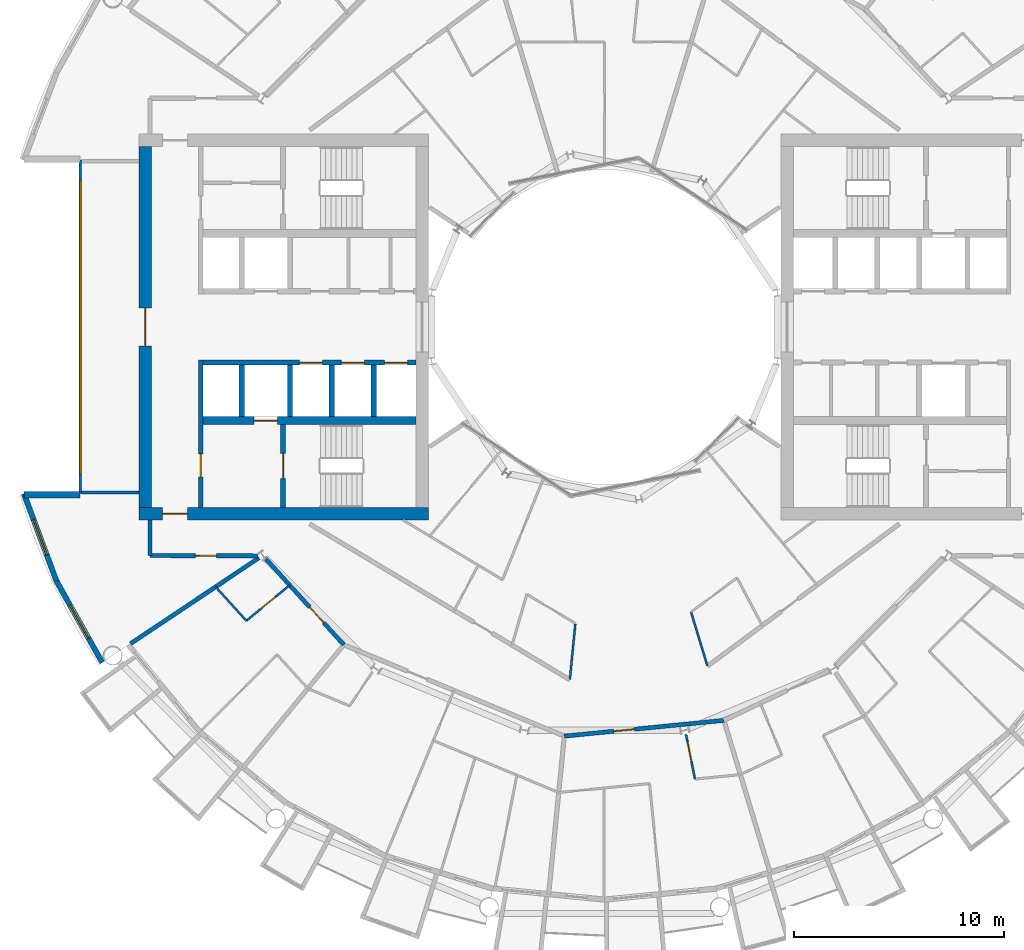
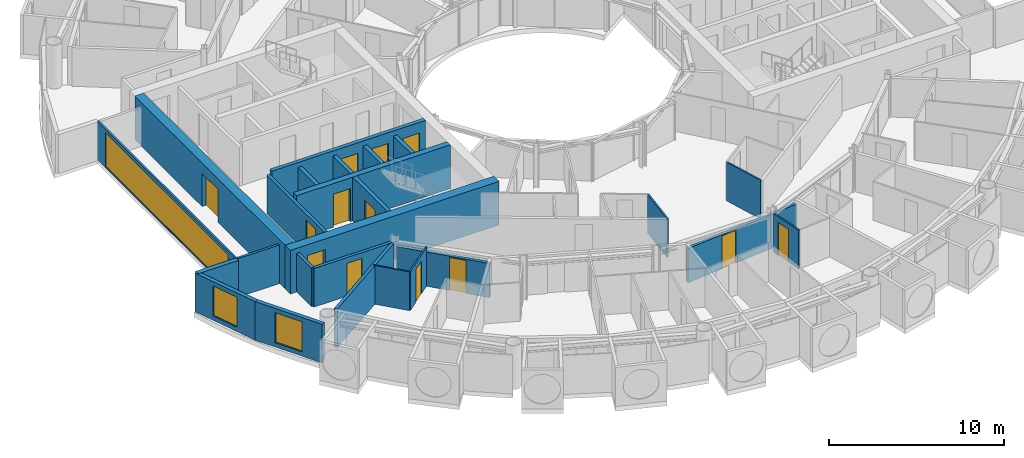
# One storey, part 15 of 27: 25 walls, 13 doors, 3 windows, 16 openings.
"""IFC4 building model written with IfcOpenShell, lengths in metres."""

import ifcopenshell
import ifcopenshell.guid

model = None  # the IFC model being written
_history = None  # IfcOwnerHistory: only IFC2X3 demands one
_inside = {}  # id of a spatial element -> (the spatial element, [elements in it])
_under = {}  # id of a project, library or spatial element -> (it, [spatial elements below it])
_declared = {}  # id of a project -> (the project, [libraries it declares])
_typed = {}  # id of a type object -> (the type object, [elements of that type])
_made_of = {}  # id of a material, layer set ... -> (it, [elements and type objects made of it])


def new_model(schema):
    """Start an empty IFC model of exactly this schema.

    Asked for "IFC4X3", IfcOpenShell would pick the latest addendum, in which some entities
    have other attributes; the version numbers below select the first issue.
    IFC2X3 requires an IfcOwnerHistory on every rooted entity: one is made here for all.
    """
    global model, _history
    if schema == "IFC4X3":
        model = ifcopenshell.file(schema_version=(4, 3, 0, 0))
    else:
        model = ifcopenshell.file(schema=schema)
    _inside.clear()
    _under.clear()
    _declared.clear()
    _typed.clear()
    _made_of.clear()
    _history = None
    if model.schema == "IFC2X3":
        org = make("IfcOrganization", Name="unknown")
        user = make(
            "IfcPersonAndOrganization",
            ThePerson=make("IfcPerson", FamilyName="unknown"),
            TheOrganization=org,
        )
        app = make(
            "IfcApplication",
            ApplicationDeveloper=org,
            Version="unknown",
            ApplicationFullName="unknown",
            ApplicationIdentifier="unknown",
        )
        _history = make(
            "IfcOwnerHistory",
            OwningUser=user,
            OwningApplication=app,
            ChangeAction="ADDED",
            CreationDate=0,
        )
    return model


def make(cls, **values):
    """One entity of the class cls with the attributes given. An attribute that is None is left unset."""
    return model.create_entity(
        cls, **{name: value for name, value in values.items() if value is not None}
    )


def rooted(cls, **values):
    """An entity with a GlobalId (a new one), such as an element, a storey or a relation."""
    return make(cls, GlobalId=ifcopenshell.guid.new(), OwnerHistory=_history, **values)


def si_unit(unit_type, name, prefix=None):
    """IfcSIUnit, for example si_unit("LENGTHUNIT", "METRE", prefix="MILLI")."""
    return make("IfcSIUnit", UnitType=unit_type, Prefix=prefix, Name=name)


def assignment(units):
    """IfcUnitAssignment: the units of a project."""
    return None if units is None else make("IfcUnitAssignment", Units=units)


def point(xyz):
    """IfcCartesianPoint."""
    return None if xyz is None else make("IfcCartesianPoint", Coordinates=xyz)


def direction(xyz):
    """IfcDirection."""
    return None if xyz is None else make("IfcDirection", DirectionRatios=xyz)


def frame(location, z_axis=None, x_axis=None):
    """IfcAxis2Placement3D, a coordinate frame: its origin and axes. An axis left out is left unset."""
    return make(
        "IfcAxis2Placement3D",
        Location=point(location),
        Axis=direction(z_axis),
        RefDirection=direction(x_axis),
    )


def frame_2d(location, x_axis=None):
    """IfcAxis2Placement2D, a coordinate frame in the plane: its origin and x axis."""
    return make(
        "IfcAxis2Placement2D", Location=point(location), RefDirection=direction(x_axis)
    )


def origin():
    """The frame at (0, 0, 0) with its axes left unset."""
    return frame((0.0, 0.0, 0.0))


def place(relative_to, where):
    """IfcLocalPlacement: puts the frame where relative to a parent placement (None: the world)."""
    return make(
        "IfcLocalPlacement", PlacementRelTo=relative_to, RelativePlacement=where
    )


def context(
    kind, dimensions, precision=None, world=None, true_north=None, identifier=None
):
    """IfcGeometricRepresentationContext, for example the 3D "Model" context."""
    return make(
        "IfcGeometricRepresentationContext",
        ContextIdentifier=identifier,
        ContextType=kind,
        CoordinateSpaceDimension=dimensions,
        Precision=precision,
        WorldCoordinateSystem=world,
        TrueNorth=true_north,
    )


def subcontext(parent, identifier, kind, view, scale=None):
    """IfcGeometricRepresentationSubContext, for example "Body" below "Model"."""
    return make(
        "IfcGeometricRepresentationSubContext",
        ContextIdentifier=identifier,
        ContextType=kind,
        ParentContext=parent,
        TargetScale=scale,
        TargetView=view,
    )


def project(units=None, contexts=None):
    """IfcProject with its units and contexts."""
    return rooted(
        "IfcProject",
        Name="project",
        RepresentationContexts=contexts,
        UnitsInContext=assignment(units),
    )


def spatial(cls, under=None, at=None, **own):
    """A site, building, storey or space (cls), placed at a placement, below another one or the project."""
    s = rooted(cls, ObjectPlacement=at, **own)
    if under is not None:
        _under.setdefault(under.id(), (under, []))[1].append(s)
    return s


def profile(cls, at=None, kind="AREA", **sizes):
    """A parametric profile (cls). Its sizes go by their IFC names, for example OverallWidth=200.0."""
    return make(cls, ProfileType=kind, Position=at, **sizes)


def rectangle(**sizes):
    """IfcRectangleProfileDef."""
    return profile("IfcRectangleProfileDef", **sizes)


def extrude(swept, where, along, depth):
    """IfcExtrudedAreaSolid: the profile swept, set in the frame where, extruded along a direction by depth."""
    return make(
        "IfcExtrudedAreaSolid",
        SweptArea=swept,
        Position=where,
        ExtrudedDirection=direction(along),
        Depth=depth,
    )


def shape(context_of_items, identifier, shape_type, items):
    """IfcShapeRepresentation: the items that make up one representation, for example the "Body"."""
    return make(
        "IfcShapeRepresentation",
        ContextOfItems=context_of_items,
        RepresentationIdentifier=identifier,
        RepresentationType=shape_type,
        Items=items,
    )


def material(Name=None, Category=None):
    """IfcMaterial."""
    return make("IfcMaterial", Name=Name, Category=Category)


def layer(
    of_material, thickness, ventilated=None, Name=None, Category=None, Priority=None
):
    """IfcMaterialLayer: one layer of a wall or slab, of a material (None: an air gap)."""
    return make(
        "IfcMaterialLayer",
        Material=of_material,
        LayerThickness=thickness,
        IsVentilated=ventilated,
        Name=Name,
        Category=Category,
        Priority=Priority,
    )


def layer_set(layers, Name=None):
    """IfcMaterialLayerSet."""
    return make("IfcMaterialLayerSet", MaterialLayers=layers, LayerSetName=Name)


def made_of(thing, what):
    """Note that an element or type object is made of a material, layer set ...; save() writes the relation."""
    if what is not None:
        _made_of.setdefault(what.id(), (what, []))[1].append(thing)
    return thing


def type_object(cls, material=None, **own):
    """A type object (cls), such as IfcWallType, which elements share."""
    return made_of(rooted(cls, **own), material)


def element(
    cls,
    number,
    at=None,
    inside=None,
    cuts=None,
    type_object=None,
    material=None,
    context=None,
    identifier="Body",
    shape_type=None,
    held_by="IfcProductDefinitionShape",
    body=None,
    shapes=None,
    **own,
):
    """One element of the class cls, such as IfcWall. Its Tag is "e" and its number.

    at: its placement. inside: the storey or other place that contains it. cuts: it is an
    opening in that element (IfcRelVoidsElement). A single representation is given by context,
    identifier, shape_type and body (its items); several are given by shapes. held_by: the class
    of the entity that holds the representations. save() writes the other relations.
    """
    e = rooted(cls, Tag="e%d" % number, ObjectPlacement=at, **own)
    if body is not None:
        shapes = [shape(context, identifier, shape_type, body)]
    if shapes is not None:
        e.Representation = make(held_by, Representations=shapes)
    if inside is not None:
        _inside.setdefault(inside.id(), (inside, []))[1].append(e)
    if cuts is not None:
        rooted(
            "IfcRelVoidsElement", RelatingBuildingElement=cuts, RelatedOpeningElement=e
        )
    if type_object is not None:
        _typed.setdefault(type_object.id(), (type_object, []))[1].append(e)
    return made_of(e, material)


def fill(opening, filler):
    """IfcRelFillsElement: the door or window that sits in an opening."""
    return rooted(
        "IfcRelFillsElement",
        RelatingOpeningElement=opening,
        RelatedBuildingElement=filler,
    )


def aggregate(whole, parts):
    """IfcRelAggregates: a whole, such as a stair, and the parts it consists of."""
    return rooted("IfcRelAggregates", RelatingObject=whole, RelatedObjects=parts)


def save(model, path):
    """Write the relations noted so far, then the file.

    IfcRelAggregates (storeys below a building ...), IfcRelContainedInSpatialStructure (elements
    in a storey), IfcRelDefinesByType, IfcRelAssociatesMaterial and IfcRelDeclares: one each for
    every whole, place, type object, material and project.
    """
    for whole, parts in _under.values():
        aggregate(whole, parts)
    for where, things in _inside.values():
        rooted(
            "IfcRelContainedInSpatialStructure",
            RelatedElements=things,
            RelatingStructure=where,
        )
    for kind, things in _typed.values():
        rooted("IfcRelDefinesByType", RelatedObjects=things, RelatingType=kind)
    for what, things in _made_of.values():
        rooted("IfcRelAssociatesMaterial", RelatedObjects=things, RelatingMaterial=what)
    for by, libraries in _declared.values():
        rooted("IfcRelDeclares", RelatingContext=by, RelatedDefinitions=libraries)
    model.write(path)


model = new_model("IFC4")

# Units and contexts
model_context = context("Model", 3, precision=1e-05, world=origin(), true_north=direction((0.0, 1.0)))
body_context = subcontext(model_context, "Body", "Model", "MODEL_VIEW")
ifc_project = project(units=[si_unit("LENGTHUNIT", "METRE"), si_unit("AREAUNIT", "SQUARE_METRE"), si_unit("VOLUMEUNIT", "CUBIC_METRE"), si_unit("PLANEANGLEUNIT", "RADIAN"), si_unit("MASSUNIT", "GRAM", prefix="KILO")], contexts=[model_context])

# Site, building, storey
site_placement = place(None, origin())
site = spatial("IfcSite", under=ifc_project, at=site_placement, CompositionType="ELEMENT")
building_placement = place(site_placement, origin())
building = spatial("IfcBuilding", under=site, at=building_placement, Name="Maasbend Ring Residences", CompositionType="ELEMENT")
storey_placement = place(building_placement, frame((0.0, 0.0, 117.75)))
storey = spatial("IfcBuildingStorey", under=building, at=storey_placement, Name="L33", CompositionType="ELEMENT", Elevation=117.75)

# Wall, openings, doors
ifc_material_1 = material(Name="Concrete C60/75", Category="concrete")
ifc_layer_1 = layer(ifc_material_1, 0.25)
ifc_layer_set_1 = layer_set([ifc_layer_1], Name="Concrete C60/75")
wall_type_1 = type_object("IfcWallType", Name="CORE WALL 250 C60/75", PredefinedType="SHEAR", material=ifc_layer_set_1)
wall_1_placement = place(storey_placement, frame((-9.0, -1.699951171875, 0.0), z_axis=(0.0, 0.0, 1.0), x_axis=(-1.0, 0.0, 0.0)))
wall_1 = element("IfcWall", 1, at=wall_1_placement, inside=storey, type_object=wall_type_1, Name="L33 core W wall SPN", PredefinedType="SHEAR", context=body_context, shape_type="SweptSolid", body=[
    extrude(rectangle(XDim=10.14990234375, YDim=0.25, at=frame_2d((5.074951171875, 0.0))), origin(), (0.0, 0.0, 1.0), 3.050048828125),
])
opening_1_placement = place(wall_1_placement, frame((0.387451171875, 0.0, 0.0)))
opening_1 = element("IfcOpeningElement", 2, at=opening_1_placement, cuts=wall_1, Name="Opening LD-W3301", PredefinedType="OPENING", context=body_context, shape_type="SweptSolid", body=[
    extrude(rectangle(XDim=1.10009765625, YDim=2.300048828125, at=frame_2d((0.550048828125, 1.14990234375))), frame((0.0, 0.135009765625, 0.0), z_axis=(0.0, -1.0, 0.0), x_axis=(1.0, 0.0, 0.0)), (0.0, 0.0, 1.0), 0.27001953125),
])
opening_2_placement = place(wall_1_placement, frame((2.449951171875, 0.0, 0.0)))
opening_2 = element("IfcOpeningElement", 3, at=opening_2_placement, cuts=wall_1, Name="Opening LD-W3302", PredefinedType="OPENING", context=body_context, shape_type="SweptSolid", body=[
    extrude(rectangle(XDim=1.10009765625, YDim=2.300048828125, at=frame_2d((0.550048828125, 1.14990234375))), frame((0.0, 0.135009765625, 0.0), z_axis=(0.0, -1.0, 0.0), x_axis=(1.0, 0.0, 0.0)), (0.0, 0.0, 1.0), 0.27001953125),
])
opening_3_placement = place(wall_1_placement, frame((4.449951171875, 0.0, 0.0)))
opening_3 = element("IfcOpeningElement", 4, at=opening_3_placement, cuts=wall_1, Name="Opening LD-W3303", PredefinedType="OPENING", context=body_context, shape_type="SweptSolid", body=[
    extrude(rectangle(XDim=1.10009765625, YDim=2.300048828125, at=frame_2d((0.550048828125, 1.14990234375))), frame((0.0, 0.135009765625, 0.0), z_axis=(0.0, -1.0, 0.0), x_axis=(1.0, 0.0, 0.0)), (0.0, 0.0, 1.0), 0.27001953125),
])
ifc_material_2 = material(Name="Stainless steel 316", Category="steel")
door_type_1 = type_object("IfcDoorType", Name="LANDING DOOR 1100 X 2300 FD60", OperationType="DOUBLE_DOOR_SLIDING", PredefinedType="DOOR", material=ifc_material_2)
door_1_placement = place(opening_1_placement, origin())
door_1 = element("IfcDoor", 5, at=door_1_placement, inside=storey, type_object=door_type_1, Name="Landing door LR-W1 L33", OperationType="DOUBLE_DOOR_SLIDING", OverallHeight=2.300048828125, OverallWidth=1.10009765625, PredefinedType="DOOR", context=body_context, shape_type="SweptSolid", body=[
    extrude(rectangle(XDim=1.10009765625, YDim=2.300048828125, at=frame_2d((0.550048828125, 1.14990234375))), frame((0.0, 0.02490234375, 0.0), z_axis=(0.0, -1.0, 0.0), x_axis=(1.0, 0.0, 0.0)), (0.0, 0.0, 1.0), 0.050048828125),
])
fill(opening_1, door_1)
door_2_placement = place(opening_2_placement, origin())
door_2 = element("IfcDoor", 6, at=door_2_placement, inside=storey, type_object=door_type_1, Name="Landing door LR-W2 L33", OperationType="DOUBLE_DOOR_SLIDING", OverallHeight=2.300048828125, OverallWidth=1.10009765625, PredefinedType="DOOR", context=body_context, shape_type="SweptSolid", body=[
    extrude(rectangle(XDim=1.10009765625, YDim=2.300048828125, at=frame_2d((0.550048828125, 1.14990234375))), frame((0.0, 0.02490234375, 0.0), z_axis=(0.0, -1.0, 0.0), x_axis=(1.0, 0.0, 0.0)), (0.0, 0.0, 1.0), 0.050048828125),
])
fill(opening_2, door_2)
door_3_placement = place(opening_3_placement, origin())
door_3 = element("IfcDoor", 7, at=door_3_placement, inside=storey, type_object=door_type_1, Name="Landing door LR-W3 L33", OperationType="DOUBLE_DOOR_SLIDING", OverallHeight=2.300048828125, OverallWidth=1.10009765625, PredefinedType="DOOR", context=body_context, shape_type="SweptSolid", body=[
    extrude(rectangle(XDim=1.10009765625, YDim=2.300048828125, at=frame_2d((0.550048828125, 1.14990234375))), frame((0.0, 0.02490234375, 0.0), z_axis=(0.0, -1.0, 0.0), x_axis=(1.0, 0.0, 0.0)), (0.0, 0.0, 1.0), 0.050048828125),
])
fill(opening_3, door_3)

# Wall, opening, door
wall_2_placement = place(storey_placement, frame((-15.324951171875, -4.64990234375, 0.0), z_axis=(0.0, 0.0, 1.0), x_axis=(0.0, -1.0, 0.0)))
wall_2 = element("IfcWall", 8, at=wall_2_placement, inside=storey, type_object=wall_type_1, Name="L33 core W wall STEN", PredefinedType="SHEAR", context=body_context, shape_type="SweptSolid", body=[
    extrude(rectangle(XDim=3.9501953125, YDim=0.25, at=frame_2d((1.97509765625, 0.0))), origin(), (0.0, 0.0, 1.0), 3.050048828125),
])
opening_4_placement = place(wall_2_placement, frame((1.375, 0.0, 0.0)))
opening_4 = element("IfcOpeningElement", 9, at=opening_4_placement, cuts=wall_2, Name="Opening D-W3310", PredefinedType="OPENING", context=body_context, shape_type="SweptSolid", body=[
    extrude(rectangle(XDim=1.199951171875, YDim=2.300048828125, at=frame_2d((0.60009765625, 1.14990234375))), frame((0.0, 0.135009765625, 0.0), z_axis=(0.0, -1.0, 0.0), x_axis=(1.0, 0.0, 0.0)), (0.0, 0.0, 1.0), 0.27001953125),
])
ifc_material_3 = material(Name="Steel, powder coated", Category="steel")
door_type_2 = type_object("IfcDoorType", Name="STAIR DOOR 1200 X 2300 FD60", OperationType="NOTDEFINED", PredefinedType="DOOR", material=ifc_material_3)
door_4_placement = place(opening_4_placement, origin())
door_4 = element("IfcDoor", 10, at=door_4_placement, inside=storey, type_object=door_type_2, Name="Stair door ST-W L33", OperationType="SINGLE_SWING_LEFT", OverallHeight=2.300048828125, OverallWidth=1.199951171875, PredefinedType="DOOR", context=body_context, shape_type="SweptSolid", body=[
    extrude(rectangle(XDim=1.199951171875, YDim=2.300048828125, at=frame_2d((0.60009765625, 1.14990234375))), frame((0.0, 0.02490234375, 0.0), z_axis=(0.0, -1.0, 0.0), x_axis=(1.0, 0.0, 0.0)), (0.0, 0.0, 1.0), 0.050048828125),
])
fill(opening_4, door_4)

ifc_material_4 = material(Name="Concrete C60/75", Category="concrete")
ifc_layer_2 = layer(ifc_material_4, 0.375)
ifc_layer_set_2 = layer_set([ifc_layer_2], Name="Concrete C60/75")
wall_type_2 = type_object("IfcWallType", Name="CORE WALL 375 C60/75", PredefinedType="SHEAR", material=ifc_layer_set_2)
wall_3_placement = place(storey_placement, frame((-9.0, -4.46240234375, 0.0), z_axis=(0.0, 0.0, 1.0), x_axis=(-1.0, 0.0, 0.0)))
wall_3 = element("IfcWall", 11, at=wall_3_placement, inside=storey, type_object=wall_type_2, Name="L33 core W wall BN", PredefinedType="SHEAR", context=body_context, shape_type="SweptSolid", body=[
    extrude(rectangle(XDim=10.14990234375, YDim=0.375, at=frame_2d((5.074951171875, 0.0))), origin(), (0.0, 0.0, 1.0), 3.050048828125),
])
opening_5_placement = place(wall_3_placement, frame((6.60009765625, 0.0, 0.0)))
opening_5 = element("IfcOpeningElement", 12, at=opening_5_placement, cuts=wall_3, Name="Opening LD-W3304", PredefinedType="OPENING", context=body_context, shape_type="SweptSolid", body=[
    extrude(rectangle(XDim=1.10009765625, YDim=2.300048828125, at=frame_2d((0.550048828125, 1.14990234375))), frame((0.0, 0.197509765625, 0.0), z_axis=(0.0, -1.0, 0.0), x_axis=(1.0, 0.0, 0.0)), (0.0, 0.0, 1.0), 0.39501953125),
])
door_5_placement = place(opening_5_placement, origin())
door_5 = element("IfcDoor", 13, at=door_5_placement, inside=storey, type_object=door_type_1, Name="Landing door FF-W L33", OperationType="DOUBLE_DOOR_SLIDING", OverallHeight=2.300048828125, OverallWidth=1.10009765625, PredefinedType="DOOR", context=body_context, shape_type="SweptSolid", body=[
    extrude(rectangle(XDim=1.10009765625, YDim=2.300048828125, at=frame_2d((0.550048828125, 1.14990234375))), frame((0.0, 0.02490234375, 0.0), z_axis=(0.0, -1.0, 0.0), x_axis=(1.0, 0.0, 0.0)), (0.0, 0.0, 1.0), 0.050048828125),
])
fill(opening_5, door_5)

ifc_material_5 = material(Name="Concrete C60/75", Category="concrete")
ifc_layer_3 = layer(ifc_material_5, 0.60009765625)
ifc_layer_set_3 = layer_set([ifc_layer_3], Name="Concrete C60/75")
wall_type_3 = type_object("IfcWallType", Name="CORE WALL 600 C60/75", PredefinedType="SHEAR", material=ifc_layer_set_3)
wall_4_placement = place(storey_placement, frame((-22.199951171875, -8.89990234375, 0.0), z_axis=(0.0, 0.0, 1.0), x_axis=(1.0, 0.0, 0.0)))
wall_4 = element("IfcWall", 14, at=wall_4_placement, inside=storey, type_object=wall_type_3, Name="L33 core W wall PN", PredefinedType="SHEAR", context=body_context, shape_type="SweptSolid", body=[
    extrude(rectangle(XDim=13.800048828125, YDim=0.60009765625, at=frame_2d((6.89990234375, 0.0))), origin(), (0.0, 0.0, 1.0), 3.050048828125),
])
opening_6_placement = place(wall_4_placement, frame((1.125, 0.0, 0.0)))
opening_6 = element("IfcOpeningElement", 15, at=opening_6_placement, cuts=wall_4, Name="Opening D-W3314", PredefinedType="OPENING", context=body_context, shape_type="SweptSolid", body=[
    extrude(rectangle(XDim=1.199951171875, YDim=2.300048828125, at=frame_2d((0.60009765625, 1.14990234375))), frame((0.0, 0.31005859375, 0.0), z_axis=(0.0, -1.0, 0.0), x_axis=(1.0, 0.0, 0.0)), (0.0, 0.0, 1.0), 0.6201171875),
])
ifc_material_6 = material(Name="Steel, powder coated", Category="steel")
door_type_3 = type_object("IfcDoorType", Name="CORRIDOR DOOR 1200 X 2300 FD30S", OperationType="NOTDEFINED", PredefinedType="DOOR", material=ifc_material_6)
door_6_placement = place(opening_6_placement, origin())
door_6 = element("IfcDoor", 16, at=door_6_placement, inside=storey, type_object=door_type_3, Name="Corridor door L33", OperationType="SINGLE_SWING_RIGHT", OverallHeight=2.300048828125, OverallWidth=1.199951171875, PredefinedType="DOOR", context=body_context, shape_type="SweptSolid", body=[
    extrude(rectangle(XDim=1.199951171875, YDim=2.300048828125, at=frame_2d((0.60009765625, 1.14990234375))), frame((0.0, 0.02490234375, 0.0), z_axis=(0.0, -1.0, 0.0), x_axis=(1.0, 0.0, 0.0)), (0.0, 0.0, 1.0), 0.050048828125),
])
fill(opening_6, door_6)

wall_5_placement = place(storey_placement, frame((-21.89990234375, -8.60009765625, 0.0), z_axis=(0.0, 0.0, 1.0), x_axis=(0.0, 1.0, 0.0)))
wall_5 = element("IfcWall", 17, at=wall_5_placement, inside=storey, type_object=wall_type_3, Name="L33 core W wall POUT", PredefinedType="SHEAR", context=body_context, shape_type="SweptSolid", body=[
    extrude(rectangle(XDim=17.2001953125, YDim=0.60009765625, at=frame_2d((8.60009765625, 0.0))), origin(), (0.0, 0.0, 1.0), 3.050048828125),
])
opening_7_placement = place(wall_5_placement, frame((7.699951171875, 0.0, 0.0)))
opening_7 = element("IfcOpeningElement", 18, at=opening_7_placement, cuts=wall_5, Name="Opening D-W3316", PredefinedType="OPENING", context=body_context, shape_type="SweptSolid", body=[
    extrude(rectangle(XDim=1.800048828125, YDim=2.300048828125, at=frame_2d((0.89990234375, 1.14990234375))), frame((0.0, 0.31005859375, 0.0), z_axis=(0.0, -1.0, 0.0), x_axis=(1.0, 0.0, 0.0)), (0.0, 0.0, 1.0), 0.6201171875),
])
ifc_material_7 = material(Name="Aluminium frame, clear glass", Category="aluminium")
door_type_4 = type_object("IfcDoorType", Name="ENTRANCE DOOR 1800 X 2300 FD60", OperationType="NOTDEFINED", PredefinedType="DOOR", material=ifc_material_7)
door_7_placement = place(opening_7_placement, origin())
door_7 = element("IfcDoor", 19, at=door_7_placement, inside=storey, type_object=door_type_4, Name="Lobby glazed door L33", OperationType="SINGLE_SWING_LEFT", OverallHeight=2.300048828125, OverallWidth=1.800048828125, PredefinedType="DOOR", context=body_context, shape_type="SweptSolid", body=[
    extrude(rectangle(XDim=1.800048828125, YDim=2.300048828125, at=frame_2d((0.89990234375, 1.14990234375))), frame((0.0, 0.02490234375, 0.0), z_axis=(0.0, -1.0, 0.0), x_axis=(1.0, 0.0, 0.0)), (0.0, 0.0, 1.0), 0.050048828125),
])
fill(opening_7, door_7)

ifc_material_8 = material(Name="Concrete C30/37", Category="concrete")
ifc_layer_4 = layer(ifc_material_8, 0.199951171875)
ifc_layer_set_4 = layer_set([ifc_layer_4], Name="Concrete C30/37")
wall_type_4 = type_object("IfcWallType", Name="CORRIDOR WALL 200 CONCRETE", PredefinedType="PARTITIONING", material=ifc_layer_set_4)
wall_6_placement = place(storey_placement, frame((-16.19189453125, -11.00390625, 0.0), z_axis=(0.0, 0.0, 1.0), x_axis=(0.671481997275, -0.741020868354, 0.0)))
wall_6 = element("IfcWall", 20, at=wall_6_placement, inside=storey, type_object=wall_type_4, Name="U-L33-w013", PredefinedType="PARTITIONING", context=body_context, shape_type="SweptSolid", body=[
    extrude(rectangle(XDim=5.59619140625, YDim=0.199951171875, at=frame_2d((2.798095703125, 0.0))), origin(), (0.0, 0.0, 1.0), 2.389892578125),
])
opening_8_placement = place(wall_6_placement, frame((3.178955078125, 0.0, 0.0)))
opening_8 = element("IfcOpeningElement", 21, at=opening_8_placement, cuts=wall_6, Name="Opening D-3333", PredefinedType="OPENING", context=body_context, shape_type="SweptSolid", body=[
    extrude(rectangle(XDim=1.0, YDim=2.300048828125, at=frame_2d((0.5, 1.14990234375))), frame((0.0, 0.10986328125, 0.0), z_axis=(0.0, -1.0, 0.0), x_axis=(1.0, 0.0, 0.0)), (0.0, 0.0, 1.0), 0.219970703125),
])
ifc_material_9 = material(Name="Timber, fire-rated, painted", Category="wood")
door_type_5 = type_object("IfcDoorType", Name="FLAT ENTRANCE DOOR 1000 X 2300 FIRE-RATED", OperationType="NOTDEFINED", PredefinedType="DOOR", material=ifc_material_9)
door_8_placement = place(opening_8_placement, origin())
door_8 = element("IfcDoor", 22, at=door_8_placement, inside=storey, type_object=door_type_5, Name="D-3333", OperationType="SINGLE_SWING_RIGHT", OverallHeight=2.300048828125, OverallWidth=1.0, PredefinedType="DOOR", context=body_context, shape_type="SweptSolid", body=[
    extrude(rectangle(XDim=1.0, YDim=2.300048828125, at=frame_2d((0.5, 1.14990234375))), frame((0.0, 0.02490234375, 0.0), z_axis=(0.0, -1.0, 0.0), x_axis=(1.0, 0.0, 0.0)), (0.0, 0.0, 1.0), 0.050048828125),
])
fill(opening_8, door_8)

wall_7_placement = place(storey_placement, frame((-1.9208984375, -19.506103515625, 0.0), z_axis=(0.0, 0.0, 1.0), x_axis=(0.995172982325, 0.098136309541, 0.0)))
wall_7 = element("IfcWall", 23, at=wall_7_placement, inside=storey, type_object=wall_type_4, Name="U-L33-w015", PredefinedType="PARTITIONING", context=body_context, shape_type="SweptSolid", body=[
    extrude(rectangle(XDim=7.65478515625, YDim=0.199951171875, at=frame_2d((3.827392578125, 0.0))), origin(), (0.0, 0.0, 1.0), 2.389892578125),
])
opening_9_placement = place(wall_7_placement, frame((2.367919921875, 0.0, 0.0)))
opening_9 = element("IfcOpeningElement", 24, at=opening_9_placement, cuts=wall_7, Name="Opening D-3342", PredefinedType="OPENING", context=body_context, shape_type="SweptSolid", body=[
    extrude(rectangle(XDim=1.0, YDim=2.300048828125, at=frame_2d((0.5, 1.14990234375))), frame((0.0, 0.10986328125, 0.0), z_axis=(0.0, -1.0, 0.0), x_axis=(1.0, 0.0, 0.0)), (0.0, 0.0, 1.0), 0.219970703125),
])
door_9_placement = place(opening_9_placement, origin())
door_9 = element("IfcDoor", 25, at=door_9_placement, inside=storey, type_object=door_type_5, Name="D-3342", OperationType="SINGLE_SWING_LEFT", OverallHeight=2.300048828125, OverallWidth=1.0, PredefinedType="DOOR", context=body_context, shape_type="SweptSolid", body=[
    extrude(rectangle(XDim=1.0, YDim=2.300048828125, at=frame_2d((0.5, 1.14990234375))), frame((0.0, 0.02490234375, 0.0), z_axis=(0.0, -1.0, 0.0), x_axis=(1.0, 0.0, 0.0)), (0.0, 0.0, 1.0), 0.050048828125),
])
fill(opening_9, door_9)

wall_8_placement = place(storey_placement, frame((-21.675048828125, -10.89990234375, 0.0), z_axis=(0.0, 0.0, 1.0), x_axis=(0.999997173357, -0.002377662213, 0.0)))
wall_8 = element("IfcWall", 26, at=wall_8_placement, inside=storey, type_object=wall_type_4, Name="U-L33-w024", PredefinedType="PARTITIONING", context=body_context, shape_type="SweptSolid", body=[
    extrude(rectangle(XDim=5.134033203125, YDim=0.199951171875, at=frame_2d((2.56689453125, 0.0))), origin(), (0.0, 0.0, 1.0), 2.699951171875),
])
opening_10_placement = place(wall_8_placement, frame((2.1708984375, 0.0, 0.0)))
opening_10 = element("IfcOpeningElement", 27, at=opening_10_placement, cuts=wall_8, Name="Opening D-3362", PredefinedType="OPENING", context=body_context, shape_type="SweptSolid", body=[
    extrude(rectangle(XDim=1.0, YDim=2.300048828125, at=frame_2d((0.5, 1.14990234375))), frame((0.0, 0.10986328125, 0.0), z_axis=(0.0, -1.0, 0.0), x_axis=(1.0, 0.0, 0.0)), (0.0, 0.0, 1.0), 0.219970703125),
])
ifc_material_10 = material(Name="Timber, painted", Category="wood")
door_type_6 = type_object("IfcDoorType", Name="ROOM DOOR 1000 X 2300", OperationType="NOTDEFINED", PredefinedType="DOOR", material=ifc_material_10)
door_10_placement = place(opening_10_placement, origin())
door_10 = element("IfcDoor", 28, at=door_10_placement, inside=storey, type_object=door_type_6, Name="D-3362", OperationType="SINGLE_SWING_RIGHT", OverallHeight=2.300048828125, OverallWidth=1.0, PredefinedType="DOOR", context=body_context, shape_type="SweptSolid", body=[
    extrude(rectangle(XDim=1.0, YDim=2.300048828125, at=frame_2d((0.5, 1.14990234375))), frame((0.0, 0.02490234375, 0.0), z_axis=(0.0, -1.0, 0.0), x_axis=(1.0, 0.0, 0.0)), (0.0, 0.0, 1.0), 0.050048828125),
])
fill(opening_10, door_10)

# Wall
wall_9_placement = place(storey_placement, frame((-21.675048828125, -10.89990234375, 0.0), z_axis=(0.0, 0.0, 1.0), x_axis=(0.0, 1.0, 0.0)))
element("IfcWall", 29, at=wall_9_placement, inside=storey, type_object=wall_type_4, Name="U-L33-w103", PredefinedType="PARTITIONING", context=body_context, shape_type="SweptSolid", body=[
    extrude(rectangle(XDim=1.699951171875, YDim=0.199951171875, at=frame_2d((0.85009765625, 0.0))), origin(), (0.0, 0.0, 1.0), 2.699951171875),
])

# Wall, opening, window
ifc_material_11 = material(Name="Aluminium clad insulated panel", Category="aluminium")
ifc_layer_5 = layer(ifc_material_11, 0.25)
ifc_layer_set_5 = layer_set([ifc_layer_5], Name="EW-HORN")
wall_type_5 = type_object("IfcWallType", Name="EW-HORN", PredefinedType="SOLIDWALL", material=ifc_layer_set_5)
wall_10_placement = place(storey_placement, frame((-27.681884765625, -7.945068359375, 0.0), z_axis=(0.0, 0.0, 1.0), x_axis=(0.349247811493, -0.937030397675, 0.0)))
wall_10 = element("IfcWall", 30, at=wall_10_placement, inside=storey, type_object=wall_type_5, Name="Horn wall 3.1", PredefinedType="SOLIDWALL", context=body_context, shape_type="SweptSolid", body=[
    extrude(rectangle(XDim=4.4521484375, YDim=0.25, at=frame_2d((2.22607421875, 0.0))), origin(), (0.0, 0.0, 1.0), 2.699951171875),
])
opening_11_placement = place(wall_10_placement, frame((1.32666015625, 0.0, 0.300048828125)))
opening_11 = element("IfcOpeningElement", 31, at=opening_11_placement, cuts=wall_10, Name="Opening W-BX", PredefinedType="OPENING", context=body_context, shape_type="SweptSolid", body=[
    extrude(rectangle(XDim=1.800048828125, YDim=2.10009765625, at=frame_2d((0.89990234375, 1.050048828125))), frame((0.0, 0.135009765625, 0.0), z_axis=(0.0, -1.0, 0.0), x_axis=(1.0, 0.0, 0.0)), (0.0, 0.0, 1.0), 0.27001953125),
])
ifc_material_12 = material(Name="Aluminium and clear glass", Category="aluminium")
window_type_1 = type_object("IfcWindowType", Name="W-BX", PartitioningType="DOUBLE_PANEL_VERTICAL", PredefinedType="WINDOW", material=ifc_material_12)
window_1_placement = place(opening_11_placement, origin())
window_1 = element("IfcWindow", 32, at=window_1_placement, inside=storey, type_object=window_type_1, Name="Horn window 3.1", OverallHeight=2.10009765625, OverallWidth=1.800048828125, PartitioningType="SINGLE_PANEL", PredefinedType="WINDOW", context=body_context, shape_type="SweptSolid", body=[
    extrude(rectangle(XDim=1.800048828125, YDim=2.10009765625, at=frame_2d((0.89990234375, 1.050048828125))), frame((0.0, 0.030029296875, 0.0), z_axis=(0.0, -1.0, 0.0), x_axis=(1.0, 0.0, 0.0)), (0.0, 0.0, 1.0), 0.06005859375),
])
fill(opening_11, window_1)

wall_11_placement = place(storey_placement, frame((-26.126953125, -12.116943359375, 0.0), z_axis=(0.0, 0.0, 1.0), x_axis=(0.489696356642, -0.871893042919, 0.0)))
wall_11 = element("IfcWall", 33, at=wall_11_placement, inside=storey, type_object=wall_type_5, Name="Horn wall 3.2", PredefinedType="SOLIDWALL", context=body_context, shape_type="SweptSolid", body=[
    extrude(rectangle(XDim=4.45361328125, YDim=0.25, at=frame_2d((2.226806640625, 0.0))), origin(), (0.0, 0.0, 1.0), 2.699951171875),
])
opening_12_placement = place(wall_11_placement, frame((1.32666015625, 0.0, 0.300048828125)))
opening_12 = element("IfcOpeningElement", 34, at=opening_12_placement, cuts=wall_11, Name="Opening W-BX", PredefinedType="OPENING", context=body_context, shape_type="SweptSolid", body=[
    extrude(rectangle(XDim=1.800048828125, YDim=2.10009765625, at=frame_2d((0.89990234375, 1.050048828125))), frame((0.0, 0.135009765625, 0.0), z_axis=(0.0, -1.0, 0.0), x_axis=(1.0, 0.0, 0.0)), (0.0, 0.0, 1.0), 0.27001953125),
])
window_2_placement = place(opening_12_placement, origin())
window_2 = element("IfcWindow", 35, at=window_2_placement, inside=storey, type_object=window_type_1, Name="Horn window 3.2", OverallHeight=2.10009765625, OverallWidth=1.800048828125, PartitioningType="SINGLE_PANEL", PredefinedType="WINDOW", context=body_context, shape_type="SweptSolid", body=[
    extrude(rectangle(XDim=1.800048828125, YDim=2.10009765625, at=frame_2d((0.89990234375, 1.050048828125))), frame((0.0, 0.030029296875, 0.0), z_axis=(0.0, -1.0, 0.0), x_axis=(1.0, 0.0, 0.0)), (0.0, 0.0, 1.0), 0.06005859375),
])
fill(opening_12, window_2)

# Wall
ifc_material_13 = material(Name="Aluminium clad insulated panel", Category="aluminium")
ifc_layer_6 = layer(ifc_material_13, 0.300048828125)
ifc_layer_set_6 = layer_set([ifc_layer_6], Name="EW-RET")
wall_type_6 = type_object("IfcWallType", Name="EW-RET", PredefinedType="SOLIDWALL", material=ifc_layer_set_6)
wall_12_placement = place(storey_placement, frame((-25.0, -8.0, 0.0), z_axis=(0.0, 0.0, 1.0), x_axis=(-1.0, 0.0, 0.0)))
element("IfcWall", 36, at=wall_12_placement, inside=storey, type_object=wall_type_6, Name="Notch return wall west south", PredefinedType="SOLIDWALL", context=body_context, shape_type="SweptSolid", body=[
    extrude(rectangle(XDim=2.6669921875, YDim=0.300048828125, at=frame_2d((1.33349609375, 0.0))), origin(), (0.0, 0.0, 1.0), 2.699951171875),
])

# Wall, opening, window
ifc_material_14 = material(Name="Aluminium frame and clear glass", Category="aluminium")
ifc_layer_7 = layer(ifc_material_14, 0.1201171875)
ifc_layer_set_7 = layer_set([ifc_layer_7], Name="GLAZED SCREEN WALL 120 EI 60")
wall_type_7 = type_object("IfcWallType", Name="GLAZED SCREEN WALL 120 EI 60", PredefinedType="PARTITIONING", material=ifc_layer_set_7)
wall_13_placement = place(storey_placement, frame((-25.0, 7.949951171875, 0.0), z_axis=(0.0, 0.0, 1.0), x_axis=(0.0, -1.0, 0.0)))
wall_13 = element("IfcWall", 37, at=wall_13_placement, inside=storey, type_object=wall_type_7, Name="L33 core W wall FACE", PredefinedType="PARTITIONING", context=body_context, shape_type="SweptSolid", body=[
    extrude(rectangle(XDim=15.89990234375, YDim=0.1201171875, at=frame_2d((7.949951171875, 0.0))), origin(), (0.0, 0.0, 1.0), 2.699951171875),
])
opening_13_placement = place(wall_13_placement, frame((0.949951171875, 0.0, 0.10009765625)))
opening_13 = element("IfcOpeningElement", 38, at=opening_13_placement, cuts=wall_13, Name="Opening W-W3302", PredefinedType="OPENING", context=body_context, shape_type="SweptSolid", body=[
    extrude(rectangle(XDim=14.0, YDim=2.35009765625, at=frame_2d((7.0, 1.175048828125))), frame((0.0, 0.070068359375, 0.0), z_axis=(0.0, -1.0, 0.0), x_axis=(1.0, 0.0, 0.0)), (0.0, 0.0, 1.0), 0.14013671875),
])
ifc_material_15 = material(Name="Aluminium frame and clear glass", Category="aluminium")
window_type_2 = type_object("IfcWindowType", Name="FIXED WINDOW 14000 X 2350", PartitioningType="SINGLE_PANEL", PredefinedType="WINDOW", material=ifc_material_15)
window_3_placement = place(opening_13_placement, origin())
window_3 = element("IfcWindow", 39, at=window_3_placement, inside=storey, type_object=window_type_2, Name="Lobby window L33", OverallHeight=2.35009765625, OverallWidth=14.0, PartitioningType="SINGLE_PANEL", PredefinedType="WINDOW", context=body_context, shape_type="SweptSolid", body=[
    extrude(rectangle(XDim=14.0, YDim=2.35009765625, at=frame_2d((7.0, 1.175048828125))), frame((0.0, 0.030029296875, 0.0), z_axis=(0.0, -1.0, 0.0), x_axis=(1.0, 0.0, 0.0)), (0.0, 0.0, 1.0), 0.06005859375),
])
fill(opening_13, window_3)

# Wall
ifc_material_16 = material(Name="Gypsum board on steel studs", Category="steel")
ifc_layer_8 = layer(ifc_material_16, 0.10009765625)
ifc_layer_set_8 = layer_set([ifc_layer_8], Name="PARTITION 100 GYPSUM")
wall_type_8 = type_object("IfcWallType", Name="PARTITION 100 GYPSUM", PredefinedType="PARTITIONING", material=ifc_layer_set_8)
wall_14_placement = place(storey_placement, frame((-18.5419921875, -12.388916015625, 0.0), z_axis=(0.0, 0.0, 1.0), x_axis=(0.671396556615, -0.741098282123, 0.0)))
element("IfcWall", 40, at=wall_14_placement, inside=storey, type_object=wall_type_8, Name="U-L33-w001", PredefinedType="PARTITIONING", context=body_context, shape_type="SweptSolid", body=[
    extrude(rectangle(XDim=2.18212890625, YDim=0.10009765625, at=frame_2d((1.091064453125, 0.0))), origin(), (0.0, 0.0, 1.0), 2.699951171875),
])

# Wall, opening, door
wall_15_placement = place(storey_placement, frame((-17.076904296875, -14.006103515625, 0.0), z_axis=(0.0, 0.0, 1.0), x_axis=(0.77319617123, 0.634166918717, 0.0)))
wall_15 = element("IfcWall", 41, at=wall_15_placement, inside=storey, type_object=wall_type_8, Name="U-L33-w038", PredefinedType="PARTITIONING", context=body_context, shape_type="SweptSolid", body=[
    extrude(rectangle(XDim=2.674560546875, YDim=0.10009765625, at=frame_2d((1.33740234375, 0.0))), origin(), (0.0, 0.0, 1.0), 2.699951171875),
])
opening_14_placement = place(wall_15_placement, frame((0.886962890625, 0.0, 0.0)))
opening_14 = element("IfcOpeningElement", 42, at=opening_14_placement, cuts=wall_15, Name="Opening D-3334", PredefinedType="OPENING", context=body_context, shape_type="SweptSolid", body=[
    extrude(rectangle(XDim=0.89990234375, YDim=2.300048828125, at=frame_2d((0.449951171875, 1.14990234375))), frame((0.0, 0.06005859375, 0.0), z_axis=(0.0, -1.0, 0.0), x_axis=(1.0, 0.0, 0.0)), (0.0, 0.0, 1.0), 0.1201171875),
])
ifc_material_17 = material(Name="Timber, painted", Category="wood")
door_type_7 = type_object("IfcDoorType", Name="INTERNAL DOOR 900 X 2300", OperationType="NOTDEFINED", PredefinedType="DOOR", material=ifc_material_17)
door_11_placement = place(opening_14_placement, origin())
door_11 = element("IfcDoor", 43, at=door_11_placement, inside=storey, type_object=door_type_7, Name="D-3334", OperationType="SINGLE_SWING_LEFT", OverallHeight=2.300048828125, OverallWidth=0.89990234375, PredefinedType="DOOR", context=body_context, shape_type="SweptSolid", body=[
    extrude(rectangle(XDim=0.89990234375, YDim=2.300048828125, at=frame_2d((0.449951171875, 1.14990234375))), frame((0.0, 0.02490234375, 0.0), z_axis=(0.0, -1.0, 0.0), x_axis=(1.0, 0.0, 0.0)), (0.0, 0.0, 1.0), 0.050048828125),
])
fill(opening_14, door_11)

wall_16_placement = place(storey_placement, frame((3.885009765625, -19.431884765625, 0.0), z_axis=(0.0, 0.0, 1.0), x_axis=(0.196051018784, -0.980593696713, 0.0)))
wall_16 = element("IfcWall", 44, at=wall_16_placement, inside=storey, type_object=wall_type_8, Name="U-L33-w062", PredefinedType="PARTITIONING", context=body_context, shape_type="SweptSolid", body=[
    extrude(rectangle(XDim=2.1630859375, YDim=0.10009765625, at=frame_2d((1.08154296875, 0.0))), origin(), (0.0, 0.0, 1.0), 2.699951171875),
])
opening_15_placement = place(wall_16_placement, frame((0.382080078125, 0.0, 0.0)))
opening_15 = element("IfcOpeningElement", 45, at=opening_15_placement, cuts=wall_16, Name="Opening D-3343", PredefinedType="OPENING", context=body_context, shape_type="SweptSolid", body=[
    extrude(rectangle(XDim=0.89990234375, YDim=2.300048828125, at=frame_2d((0.449951171875, 1.14990234375))), frame((0.0, 0.06005859375, 0.0), z_axis=(0.0, -1.0, 0.0), x_axis=(1.0, 0.0, 0.0)), (0.0, 0.0, 1.0), 0.1201171875),
])
door_12_placement = place(opening_15_placement, origin())
door_12 = element("IfcDoor", 46, at=door_12_placement, inside=storey, type_object=door_type_7, Name="D-3343", OperationType="SINGLE_SWING_LEFT", OverallHeight=2.300048828125, OverallWidth=0.89990234375, PredefinedType="DOOR", context=body_context, shape_type="SweptSolid", body=[
    extrude(rectangle(XDim=0.89990234375, YDim=2.300048828125, at=frame_2d((0.449951171875, 1.14990234375))), frame((0.0, 0.02490234375, 0.0), z_axis=(0.0, -1.0, 0.0), x_axis=(1.0, 0.0, 0.0)), (0.0, 0.0, 1.0), 0.050048828125),
])
fill(opening_15, door_12)

# Walls
wall_17_placement = place(storey_placement, frame((-1.39404296875, -14.154052734375, 0.0), z_axis=(0.0, 0.0, 1.0), x_axis=(-0.097901702875, -0.995196089509, 0.0)))
element("IfcWall", 47, at=wall_17_placement, inside=storey, type_object=wall_type_8, Name="U-L33-w113", PredefinedType="PARTITIONING", context=body_context, shape_type="SweptSolid", body=[
    extrude(rectangle(XDim=2.65576171875, YDim=0.10009765625, at=frame_2d((1.327880859375, 0.0))), origin(), (0.0, 0.0, 1.0), 2.699951171875),
])
wall_18_placement = place(storey_placement, frame((4.89990234375, -16.152099609375, 0.0), z_axis=(0.0, 0.0, 1.0), x_axis=(-0.290456070925, 0.956888327269, 0.0)))
element("IfcWall", 48, at=wall_18_placement, inside=storey, type_object=wall_type_8, Name="U-L33-w114", PredefinedType="PARTITIONING", context=body_context, shape_type="SweptSolid", body=[
    extrude(rectangle(XDim=2.65771484375, YDim=0.10009765625, at=frame_2d((1.328857421875, 0.0))), origin(), (0.0, 0.0, 1.0), 2.699951171875),
])
ifc_material_18 = material(Name="Gypsum board on steel studs", Category="steel")
ifc_layer_9 = layer(ifc_material_18, 0.14990234375)
ifc_layer_set_9 = layer_set([ifc_layer_9], Name="PARTITION 150 EI 60")
wall_type_9 = type_object("IfcWallType", Name="PARTITION 150 EI 60", PredefinedType="PARTITIONING", material=ifc_layer_set_9)
wall_19_placement = place(storey_placement, frame((-22.199951171875, -7.89990234375, 0.0), z_axis=(0.0, 0.0, 1.0), x_axis=(-1.0, 0.0, 0.0)))
element("IfcWall", 49, at=wall_19_placement, inside=storey, type_object=wall_type_9, Name="L33 core W wall CITN", PredefinedType="PARTITIONING", context=body_context, shape_type="SweptSolid", body=[
    extrude(rectangle(XDim=2.739990234375, YDim=0.14990234375, at=frame_2d((1.3701171875, 0.0))), origin(), (0.0, 0.0, 1.0), 2.699951171875),
])
ifc_material_19 = material(Name="Concrete C30/37", Category="concrete")
ifc_layer_10 = layer(ifc_material_19, 0.199951171875)
ifc_layer_set_10 = layer_set([ifc_layer_10], Name="Concrete C30/37")
wall_type_10 = type_object("IfcWallType", Name="PARTY WALL 200 CONCRETE", PredefinedType="PARTITIONING", material=ifc_layer_set_10)
wall_20_placement = place(storey_placement, frame((-22.594970703125, -15.096923828125, 0.0), z_axis=(0.0, 0.0, 1.0), x_axis=(0.831467903109, 0.555572791, 0.0)))
element("IfcWall", 50, at=wall_20_placement, inside=storey, type_object=wall_type_10, Name="U-L33-w032", PredefinedType="PARTITIONING", context=body_context, shape_type="SweptSolid", body=[
    extrude(rectangle(XDim=7.35791015625, YDim=0.199951171875, at=frame_2d((3.678955078125, 0.0))), origin(), (0.0, 0.0, 1.0), 2.699951171875),
])

# Wall, opening, door
ifc_material_20 = material(Name="Concrete C30/37", Category="concrete")
ifc_layer_11 = layer(ifc_material_20, 0.199951171875)
ifc_layer_set_11 = layer_set([ifc_layer_11], Name="Concrete C30/37")
wall_type_11 = type_object("IfcWallType", Name="SHAFT WALL 200 EI 120", PredefinedType="SOLIDWALL", material=ifc_layer_set_11)
wall_21_placement = place(storey_placement, frame((-19.25, -1.574951171875, 0.0), z_axis=(0.0, 0.0, 1.0), x_axis=(0.0, -1.0, 0.0)))
wall_21 = element("IfcWall", 51, at=wall_21_placement, inside=storey, type_object=wall_type_11, Name="L33 core W wall ENDN", PredefinedType="SOLIDWALL", context=body_context, shape_type="SweptSolid", body=[
    extrude(rectangle(XDim=7.025146484375, YDim=0.199951171875, at=frame_2d((3.5126953125, 0.0))), origin(), (0.0, 0.0, 1.0), 2.699951171875),
])
opening_16_placement = place(wall_21_placement, frame((4.47509765625, 0.0, 0.0)))
opening_16 = element("IfcOpeningElement", 52, at=opening_16_placement, cuts=wall_21, Name="Opening D-W3312", PredefinedType="OPENING", context=body_context, shape_type="SweptSolid", body=[
    extrude(rectangle(XDim=1.10009765625, YDim=2.300048828125, at=frame_2d((0.550048828125, 1.14990234375))), frame((0.0, 0.10986328125, 0.0), z_axis=(0.0, -1.0, 0.0), x_axis=(1.0, 0.0, 0.0)), (0.0, 0.0, 1.0), 0.219970703125),
])
ifc_material_21 = material(Name="Steel, powder coated", Category="steel")
door_type_8 = type_object("IfcDoorType", Name="LOBBY DOOR 1100 X 2300 FD60", OperationType="NOTDEFINED", PredefinedType="DOOR", material=ifc_material_21)
door_13_placement = place(opening_16_placement, origin())
door_13 = element("IfcDoor", 53, at=door_13_placement, inside=storey, type_object=door_type_8, Name="Lobby door L33", OperationType="SINGLE_SWING_LEFT", OverallHeight=2.300048828125, OverallWidth=1.10009765625, PredefinedType="DOOR", context=body_context, shape_type="SweptSolid", body=[
    extrude(rectangle(XDim=1.10009765625, YDim=2.300048828125, at=frame_2d((0.550048828125, 1.14990234375))), frame((0.0, 0.02490234375, 0.0), z_axis=(0.0, -1.0, 0.0), x_axis=(1.0, 0.0, 0.0)), (0.0, 0.0, 1.0), 0.050048828125),
])
fill(opening_16, door_13)

# Walls
ifc_material_22 = material(Name="Concrete C30/37", Category="concrete")
ifc_layer_12 = layer(ifc_material_22, 0.25)
ifc_layer_set_12 = layer_set([ifc_layer_12], Name="Concrete C30/37")
wall_type_12 = type_object("IfcWallType", Name="SHAFT WALL 250 EI 120", PredefinedType="SOLIDWALL", material=ifc_layer_set_12)
for number, where, z_axis, x_axis, name in (
    (54, (-15.0, -1.824951171875, 0.0), (0.0, 0.0, 1.0), (0.0, -1.0, 0.0), "L33 core W wall D150N"),
    (55, (-17.300048828125, -1.824951171875, 0.0), (0.0, 0.0, 1.0), (0.0, -1.0, 0.0), "L33 core W wall D173N"),
    (56, (-11.0, -1.824951171875, 0.0), (0.0, 0.0, 1.0), (0.0, -1.0, 0.0), "L33 core W wall D110N"),
    (57, (-13.0, -1.824951171875, 0.0), (0.0, 0.0, 1.0), (0.0, -1.0, 0.0), "L33 core W wall D130N"),
):
    element("IfcWall", number, at=place(storey_placement, frame(where, z_axis=z_axis, x_axis=x_axis)), inside=storey, type_object=wall_type_12, Name=name, PredefinedType="SOLIDWALL", context=body_context, shape_type="SweptSolid", body=[
        extrude(rectangle(XDim=2.449951171875, YDim=0.25, at=frame_2d((1.22509765625, 0.0))), origin(), (0.0, 0.0, 1.0), 2.699951171875),
    ])

save(model, "model.ifc")
